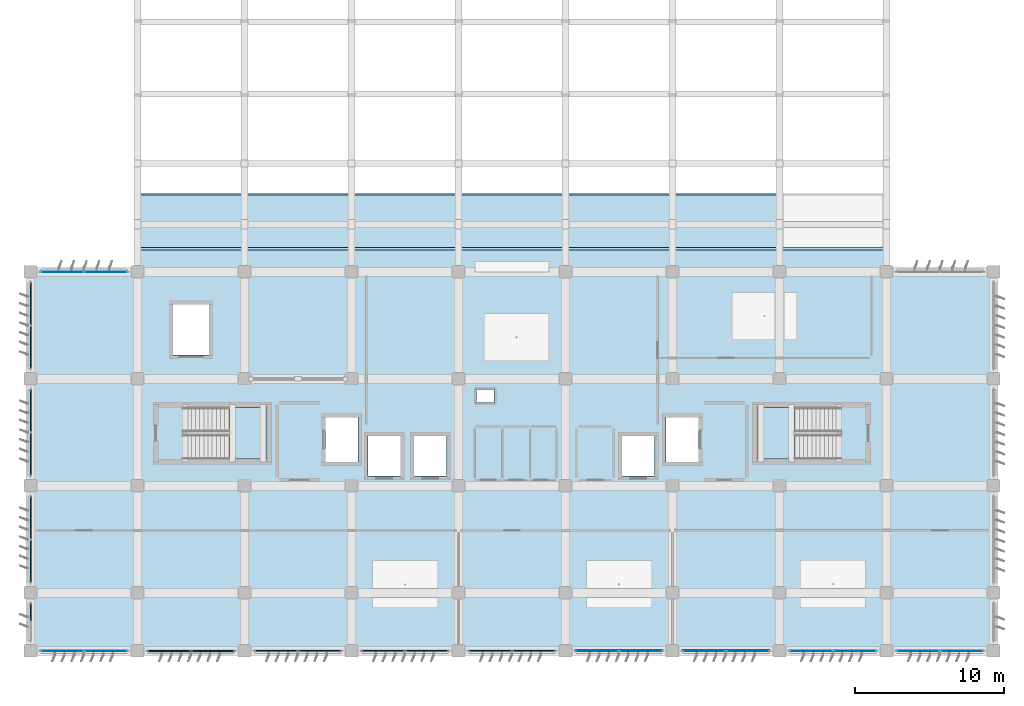
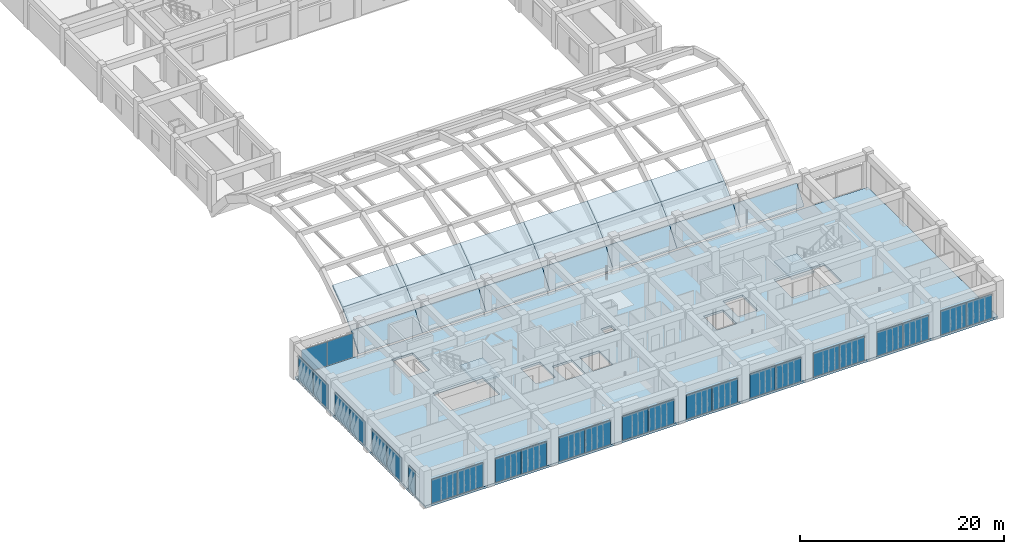
# One storey, part 25 of 48: 27 plates, 22 slabs, 16 elements without a shape of their own.
"""IFC4 building model written with IfcOpenShell, lengths in metres."""

from ifc_helpers import new_model, si_unit, direction, frame, origin, origin_2d, place, context, subcontext, project, spatial, polyline, rectangle, outline, extrude, material, layer, layer_set, type_object, element, aggregate, save


model = new_model("IFC4")

# Units and contexts
model_context = context("Model", 3, precision=1e-05, world=origin(), true_north=direction((0.0, 1.0)))
body_context = subcontext(model_context, "Body", "Model", "MODEL_VIEW")
ifc_project = project(units=[si_unit("LENGTHUNIT", "METRE"), si_unit("AREAUNIT", "SQUARE_METRE"), si_unit("VOLUMEUNIT", "CUBIC_METRE"), si_unit("PLANEANGLEUNIT", "RADIAN"), si_unit("MASSUNIT", "GRAM", prefix="KILO")], contexts=[model_context])

# Site, building, storey
site_placement = place(None, origin())
site = spatial("IfcSite", under=ifc_project, at=site_placement, CompositionType="ELEMENT")
building_placement = place(site_placement, origin())
building = spatial("IfcBuilding", under=site, at=building_placement, Name="Kazehaya Institute of Natural Sciences", CompositionType="ELEMENT")
storey_placement = place(building_placement, frame((0.0, 0.0, 19.800048828125)))
storey = spatial("IfcBuildingStorey", under=building, at=storey_placement, Name="L04", CompositionType="ELEMENT", Elevation=19.800048828125)

# Curtain wall, plates
ifc_material_1 = material(Name="Aluminium alloy A6063S-T5", Category="aluminium")
curtain_wall_type_1 = type_object("IfcCurtainWallType", Name="CW-SYS-04", PredefinedType="NOTDEFINED", material=ifc_material_1)
curtain_wall_1_placement = place(storey_placement, origin())
curtain_wall_1 = element("IfcCurtainWall", 1, at=curtain_wall_1_placement, inside=storey, type_object=curtain_wall_type_1, Name="L04 unitised curtain wall CW-L04-075", PredefinedType="NOTDEFINED")
ifc_material_2 = material(Name="Low-E double-glazed vision glass", Category="glass")
ifc_layer_1 = layer(ifc_material_2, 0.030029296875, Name="Low-E double-glazed vision glass", Category="glass")
ifc_layer_set_1 = layer_set([ifc_layer_1], Name="Low-E double-glazed vision glass")
plate_type_1 = type_object("IfcPlateType", Name="CWP-01", PredefinedType="CURTAIN_PANEL", material=ifc_layer_set_1)
plate_1_placement = place(storey_placement, frame((117.264892578125, 10.10009765625, 0.06005859375), z_axis=(0.0, 0.0, 1.0), x_axis=(-1.0, 0.0, 0.0)))
plate_1 = element("IfcPlate", 2, at=plate_1_placement, type_object=plate_type_1, Name="CW04 panel 1.1", PredefinedType="CURTAIN_PANEL", context=body_context, shape_type="SweptSolid", body=[
    extrude(rectangle(XDim=2.8701171875, YDim=0.030029296875, at=origin_2d()), origin(), (0.0, 0.0, 1.0), 2.8798828125),
])
plate_2_placement = place(storey_placement, frame((114.3349609375, 10.10009765625, 0.06005859375), z_axis=(0.0, 0.0, 1.0), x_axis=(-1.0, 0.0, 0.0)))
plate_2 = element("IfcPlate", 3, at=plate_2_placement, type_object=plate_type_1, Name="CW04 panel 2.1", PredefinedType="CURTAIN_PANEL", context=body_context, shape_type="SweptSolid", body=[
    extrude(rectangle(XDim=2.8701171875, YDim=0.030029296875, at=origin_2d()), origin(), (0.0, 0.0, 1.0), 2.8798828125),
])
aggregate(curtain_wall_1, [plate_1, plate_2])

curtain_wall_2_placement = place(storey_placement, origin())
curtain_wall_2 = element("IfcCurtainWall", 4, at=curtain_wall_2_placement, inside=storey, type_object=curtain_wall_type_1, Name="L04 unitised curtain wall CW-L04-083", PredefinedType="NOTDEFINED")
plate_3_placement = place(storey_placement, frame((59.6650390625, 10.10009765625, 0.06005859375), z_axis=(0.0, 0.0, 1.0), x_axis=(-1.0, 0.0, 0.0)))
plate_3 = element("IfcPlate", 5, at=plate_3_placement, type_object=plate_type_1, Name="CW04 panel 1.1", PredefinedType="CURTAIN_PANEL", context=body_context, shape_type="SweptSolid", body=[
    extrude(rectangle(XDim=2.8701171875, YDim=0.030029296875, at=origin_2d()), origin(), (0.0, 0.0, 1.0), 2.8798828125),
])
plate_4_placement = place(storey_placement, frame((56.735107421875, 10.10009765625, 0.06005859375), z_axis=(0.0, 0.0, 1.0), x_axis=(-1.0, 0.0, 0.0)))
plate_4 = element("IfcPlate", 6, at=plate_4_placement, type_object=plate_type_1, Name="CW04 panel 2.1", PredefinedType="CURTAIN_PANEL", context=body_context, shape_type="SweptSolid", body=[
    extrude(rectangle(XDim=2.8701171875, YDim=0.030029296875, at=origin_2d()), origin(), (0.0, 0.0, 1.0), 2.8798828125),
])
aggregate(curtain_wall_2, [plate_3, plate_4])

curtain_wall_3_placement = place(storey_placement, origin())
curtain_wall_3 = element("IfcCurtainWall", 7, at=curtain_wall_3_placement, inside=storey, type_object=curtain_wall_type_1, Name="L04 unitised curtain wall CW-L04-076", PredefinedType="NOTDEFINED")
ifc_layer_2 = layer(ifc_material_2, 0.0400390625, Name="Low-E double-glazed vision glass", Category="glass")
ifc_layer_set_2 = layer_set([ifc_layer_2], Name="Low-E double-glazed vision glass")
plate_type_2 = type_object("IfcPlateType", Name="CWP-02", PredefinedType="CURTAIN_PANEL", material=ifc_layer_set_2)
plate_5_placement = place(storey_placement, frame((110.06494140625, 10.10009765625, 0.06005859375), z_axis=(0.0, 0.0, 1.0), x_axis=(-1.0, 0.0, 0.0)))
plate_5 = element("IfcPlate", 8, at=plate_5_placement, type_object=plate_type_2, Name="CW04 panel 1.1", PredefinedType="CURTAIN_PANEL", context=body_context, shape_type="SweptSolid", body=[
    extrude(rectangle(XDim=2.8701171875, YDim=0.0400390625, at=origin_2d()), origin(), (0.0, 0.0, 1.0), 2.8798828125),
])
plate_6_placement = place(storey_placement, frame((107.135009765625, 10.10009765625, 0.06005859375), z_axis=(0.0, 0.0, 1.0), x_axis=(-1.0, 0.0, 0.0)))
plate_6 = element("IfcPlate", 9, at=plate_6_placement, type_object=plate_type_2, Name="CW04 panel 2.1", PredefinedType="CURTAIN_PANEL", context=body_context, shape_type="SweptSolid", body=[
    extrude(rectangle(XDim=2.8701171875, YDim=0.0400390625, at=origin_2d()), origin(), (0.0, 0.0, 1.0), 2.8798828125),
])
aggregate(curtain_wall_3, [plate_5, plate_6])

curtain_wall_4_placement = place(storey_placement, origin())
curtain_wall_4 = element("IfcCurtainWall", 10, at=curtain_wall_4_placement, inside=storey, type_object=curtain_wall_type_1, Name="L04 unitised curtain wall CW-L04-077", PredefinedType="NOTDEFINED")
ifc_layer_3 = layer(ifc_material_2, 0.050048828125, Name="Low-E double-glazed vision glass", Category="glass")
ifc_layer_set_3 = layer_set([ifc_layer_3], Name="Low-E double-glazed vision glass")
plate_type_3 = type_object("IfcPlateType", Name="CWP-03", PredefinedType="CURTAIN_PANEL", material=ifc_layer_set_3)
plate_7_placement = place(storey_placement, frame((102.864990234375, 10.10009765625, 0.06005859375), z_axis=(0.0, 0.0, 1.0), x_axis=(-1.0, 0.0, 0.0)))
plate_7 = element("IfcPlate", 11, at=plate_7_placement, type_object=plate_type_3, Name="CW04 panel 1.1", PredefinedType="CURTAIN_PANEL", context=body_context, shape_type="SweptSolid", body=[
    extrude(rectangle(XDim=2.8701171875, YDim=0.050048828125, at=origin_2d()), origin(), (0.0, 0.0, 1.0), 2.8798828125),
])
plate_8_placement = place(storey_placement, frame((99.93505859375, 10.10009765625, 0.06005859375), z_axis=(0.0, 0.0, 1.0), x_axis=(-1.0, 0.0, 0.0)))
plate_8 = element("IfcPlate", 12, at=plate_8_placement, type_object=plate_type_3, Name="CW04 panel 2.1", PredefinedType="CURTAIN_PANEL", context=body_context, shape_type="SweptSolid", body=[
    extrude(rectangle(XDim=2.8701171875, YDim=0.050048828125, at=origin_2d()), origin(), (0.0, 0.0, 1.0), 2.8798828125),
])
aggregate(curtain_wall_4, [plate_7, plate_8])

curtain_wall_5_placement = place(storey_placement, origin())
curtain_wall_5 = element("IfcCurtainWall", 13, at=curtain_wall_5_placement, inside=storey, type_object=curtain_wall_type_1, Name="L04 unitised curtain wall CW-L04-084", PredefinedType="NOTDEFINED")
plate_9_placement = place(storey_placement, frame((56.735107421875, 35.60009765625, 0.06005859375), z_axis=(0.0, 0.0, 1.0), x_axis=(1.0, 0.0, 0.0)))
plate_9 = element("IfcPlate", 14, at=plate_9_placement, type_object=plate_type_3, Name="CW04 panel 1.1", PredefinedType="CURTAIN_PANEL", context=body_context, shape_type="SweptSolid", body=[
    extrude(rectangle(XDim=2.8701171875, YDim=0.050048828125, at=origin_2d()), origin(), (0.0, 0.0, 1.0), 2.8798828125),
])
plate_10_placement = place(storey_placement, frame((59.6650390625, 35.60009765625, 0.06005859375), z_axis=(0.0, 0.0, 1.0), x_axis=(1.0, 0.0, 0.0)))
plate_10 = element("IfcPlate", 15, at=plate_10_placement, type_object=plate_type_3, Name="CW04 panel 2.1", PredefinedType="CURTAIN_PANEL", context=body_context, shape_type="SweptSolid", body=[
    extrude(rectangle(XDim=2.8701171875, YDim=0.050048828125, at=origin_2d()), origin(), (0.0, 0.0, 1.0), 2.8798828125),
])
aggregate(curtain_wall_5, [plate_9, plate_10])

curtain_wall_6_placement = place(storey_placement, origin())
curtain_wall_6 = element("IfcCurtainWall", 16, at=curtain_wall_6_placement, inside=storey, type_object=curtain_wall_type_1, Name="L04 unitised curtain wall CW-L04-078", PredefinedType="NOTDEFINED")
ifc_layer_4 = layer(ifc_material_2, 0.06005859375, Name="Low-E double-glazed vision glass", Category="glass")
ifc_layer_set_4 = layer_set([ifc_layer_4], Name="Low-E double-glazed vision glass")
plate_type_4 = type_object("IfcPlateType", Name="CWP-04", PredefinedType="CURTAIN_PANEL", material=ifc_layer_set_4)
plate_11_placement = place(storey_placement, frame((95.6650390625, 10.10009765625, 0.06005859375), z_axis=(0.0, 0.0, 1.0), x_axis=(-1.0, 0.0, 0.0)))
plate_11 = element("IfcPlate", 17, at=plate_11_placement, type_object=plate_type_4, Name="CW04 panel 1.1", PredefinedType="CURTAIN_PANEL", context=body_context, shape_type="SweptSolid", body=[
    extrude(rectangle(XDim=2.8701171875, YDim=0.06005859375, at=origin_2d()), origin(), (0.0, 0.0, 1.0), 2.8798828125),
])
plate_12_placement = place(storey_placement, frame((92.735107421875, 10.10009765625, 0.06005859375), z_axis=(0.0, 0.0, 1.0), x_axis=(-1.0, 0.0, 0.0)))
plate_12 = element("IfcPlate", 18, at=plate_12_placement, type_object=plate_type_4, Name="CW04 panel 2.1", PredefinedType="CURTAIN_PANEL", context=body_context, shape_type="SweptSolid", body=[
    extrude(rectangle(XDim=2.8701171875, YDim=0.06005859375, at=origin_2d()), origin(), (0.0, 0.0, 1.0), 2.8798828125),
])
aggregate(curtain_wall_6, [plate_11, plate_12])

curtain_wall_7_placement = place(storey_placement, origin())
curtain_wall_7 = element("IfcCurtainWall", 19, at=curtain_wall_7_placement, inside=storey, type_object=curtain_wall_type_1, Name="L04 unitised curtain wall CW-L04-079", PredefinedType="NOTDEFINED")
ifc_material_3 = material(Name="Insulated bronze aluminium spandrel panel", Category="aluminium")
ifc_layer_5 = layer(ifc_material_3, 0.070068359375, Name="Insulated bronze aluminium spandrel panel", Category="aluminium")
ifc_layer_set_5 = layer_set([ifc_layer_5], Name="Insulated bronze aluminium spandrel panel")
plate_type_5 = type_object("IfcPlateType", Name="CWP-05", PredefinedType="CURTAIN_PANEL", material=ifc_layer_set_5)
plate_13_placement = place(storey_placement, frame((88.465087890625, 10.10009765625, 0.06005859375), z_axis=(0.0, 0.0, 1.0), x_axis=(-1.0, 0.0, 0.0)))
plate_13 = element("IfcPlate", 20, at=plate_13_placement, type_object=plate_type_5, Name="CW04 panel 1.1", PredefinedType="CURTAIN_PANEL", context=body_context, shape_type="SweptSolid", body=[
    extrude(rectangle(XDim=2.8701171875, YDim=0.070068359375, at=origin_2d()), origin(), (0.0, 0.0, 1.0), 2.8798828125),
])
plate_14_placement = place(storey_placement, frame((85.534912109375, 10.10009765625, 0.06005859375), z_axis=(0.0, 0.0, 1.0), x_axis=(-1.0, 0.0, 0.0)))
plate_14 = element("IfcPlate", 21, at=plate_14_placement, type_object=plate_type_5, Name="CW04 panel 2.1", PredefinedType="CURTAIN_PANEL", context=body_context, shape_type="SweptSolid", body=[
    extrude(rectangle(XDim=2.8701171875, YDim=0.070068359375, at=origin_2d()), origin(), (0.0, 0.0, 1.0), 2.8798828125),
])
aggregate(curtain_wall_7, [plate_13, plate_14])

# Curtain wall, plate
curtain_wall_type_2 = type_object("IfcCurtainWallType", Name="CW-SYS-08", PredefinedType="NOTDEFINED", material=ifc_material_1)
curtain_wall_8_placement = place(storey_placement, origin())
curtain_wall_8 = element("IfcCurtainWall", 22, at=curtain_wall_8_placement, inside=storey, type_object=curtain_wall_type_2, Name="L04 unitised curtain wall CW-L04-086", PredefinedType="NOTDEFINED")
plate_15_placement = place(storey_placement, frame((54.60009765625, 12.68994140625, 0.06005859375), z_axis=(0.0, 0.0, 1.0), x_axis=(0.0, 1.0, 0.0)))
plate_15 = element("IfcPlate", 23, at=plate_15_placement, type_object=plate_type_5, Name="CW08 panel 2.1", PredefinedType="CURTAIN_PANEL", context=body_context, shape_type="SweptSolid", body=[
    extrude(rectangle(XDim=1.219970703125, YDim=0.070068359375, at=origin_2d()), origin(), (0.0, 0.0, 1.0), 2.8798828125),
])
aggregate(curtain_wall_8, [plate_15])

# Curtain wall, plates
curtain_wall_type_3 = type_object("IfcCurtainWallType", Name="CW-SYS-10", PredefinedType="NOTDEFINED", material=ifc_material_1)
curtain_wall_9_placement = place(storey_placement, origin())
curtain_wall_9 = element("IfcCurtainWall", 24, at=curtain_wall_9_placement, inside=storey, type_object=curtain_wall_type_3, Name="L04 unitised curtain wall CW-L04-088", PredefinedType="NOTDEFINED")
plate_16_placement = place(storey_placement, frame((54.60009765625, 16.135009765625, 0.06005859375), z_axis=(0.0, 0.0, 1.0), x_axis=(0.0, 1.0, 0.0)))
plate_16 = element("IfcPlate", 25, at=plate_16_placement, type_object=plate_type_5, Name="CW10 panel 1.1", PredefinedType="CURTAIN_PANEL", context=body_context, shape_type="SweptSolid", body=[
    extrude(rectangle(XDim=2.8701171875, YDim=0.070068359375, at=origin_2d()), origin(), (0.0, 0.0, 1.0), 2.8798828125),
])
plate_17_placement = place(storey_placement, frame((54.60009765625, 19.06494140625, 0.06005859375), z_axis=(0.0, 0.0, 1.0), x_axis=(0.0, 1.0, 0.0)))
plate_17 = element("IfcPlate", 26, at=plate_17_placement, type_object=plate_type_5, Name="CW10 panel 2.1", PredefinedType="CURTAIN_PANEL", context=body_context, shape_type="SweptSolid", body=[
    extrude(rectangle(XDim=2.8701171875, YDim=0.070068359375, at=origin_2d()), origin(), (0.0, 0.0, 1.0), 2.8798828125),
])
aggregate(curtain_wall_9, [plate_16, plate_17])

curtain_wall_10_placement = place(storey_placement, origin())
curtain_wall_10 = element("IfcCurtainWall", 27, at=curtain_wall_10_placement, inside=storey, type_object=curtain_wall_type_3, Name="L04 unitised curtain wall CW-L04-090", PredefinedType="NOTDEFINED")
plate_18_placement = place(storey_placement, frame((54.60009765625, 23.3349609375, 0.06005859375), z_axis=(0.0, 0.0, 1.0), x_axis=(0.0, 1.0, 0.0)))
plate_18 = element("IfcPlate", 28, at=plate_18_placement, type_object=plate_type_5, Name="CW10 panel 1.1", PredefinedType="CURTAIN_PANEL", context=body_context, shape_type="SweptSolid", body=[
    extrude(rectangle(XDim=2.8701171875, YDim=0.070068359375, at=origin_2d()), origin(), (0.0, 0.0, 1.0), 2.8798828125),
])
plate_19_placement = place(storey_placement, frame((54.60009765625, 26.264892578125, 0.06005859375), z_axis=(0.0, 0.0, 1.0), x_axis=(0.0, 1.0, 0.0)))
plate_19 = element("IfcPlate", 29, at=plate_19_placement, type_object=plate_type_5, Name="CW10 panel 2.1", PredefinedType="CURTAIN_PANEL", context=body_context, shape_type="SweptSolid", body=[
    extrude(rectangle(XDim=2.8701171875, YDim=0.070068359375, at=origin_2d()), origin(), (0.0, 0.0, 1.0), 2.8798828125),
])
aggregate(curtain_wall_10, [plate_18, plate_19])

curtain_wall_11_placement = place(storey_placement, origin())
curtain_wall_11 = element("IfcCurtainWall", 30, at=curtain_wall_11_placement, inside=storey, type_object=curtain_wall_type_3, Name="L04 unitised curtain wall CW-L04-092", PredefinedType="NOTDEFINED")
plate_20_placement = place(storey_placement, frame((54.60009765625, 30.534912109375, 0.06005859375), z_axis=(0.0, 0.0, 1.0), x_axis=(0.0, 1.0, 0.0)))
plate_20 = element("IfcPlate", 31, at=plate_20_placement, type_object=plate_type_5, Name="CW10 panel 1.1", PredefinedType="CURTAIN_PANEL", context=body_context, shape_type="SweptSolid", body=[
    extrude(rectangle(XDim=2.8701171875, YDim=0.070068359375, at=origin_2d()), origin(), (0.0, 0.0, 1.0), 2.8798828125),
])
plate_21_placement = place(storey_placement, frame((54.60009765625, 33.465087890625, 0.06005859375), z_axis=(0.0, 0.0, 1.0), x_axis=(0.0, 1.0, 0.0)))
plate_21 = element("IfcPlate", 32, at=plate_21_placement, type_object=plate_type_5, Name="CW10 panel 2.1", PredefinedType="CURTAIN_PANEL", context=body_context, shape_type="SweptSolid", body=[
    extrude(rectangle(XDim=2.8701171875, YDim=0.070068359375, at=origin_2d()), origin(), (0.0, 0.0, 1.0), 2.8798828125),
])
aggregate(curtain_wall_11, [plate_20, plate_21])

curtain_wall_12_placement = place(storey_placement, origin())
curtain_wall_12 = element("IfcCurtainWall", 33, at=curtain_wall_12_placement, inside=storey, type_object=curtain_wall_type_1, Name="L04 unitised curtain wall CW-L04-080", PredefinedType="NOTDEFINED")
ifc_layer_6 = layer(ifc_material_3, 0.080078125, Name="Insulated bronze aluminium spandrel panel", Category="aluminium")
ifc_layer_set_6 = layer_set([ifc_layer_6], Name="Insulated bronze aluminium spandrel panel")
plate_type_6 = type_object("IfcPlateType", Name="CWP-06", PredefinedType="CURTAIN_PANEL", material=ifc_layer_set_6)
plate_22_placement = place(storey_placement, frame((81.264892578125, 10.10009765625, 0.06005859375), z_axis=(0.0, 0.0, 1.0), x_axis=(-1.0, 0.0, 0.0)))
plate_22 = element("IfcPlate", 34, at=plate_22_placement, type_object=plate_type_6, Name="CW04 panel 1.1", PredefinedType="CURTAIN_PANEL", context=body_context, shape_type="SweptSolid", body=[
    extrude(rectangle(XDim=2.8701171875, YDim=0.080078125, at=origin_2d()), origin(), (0.0, 0.0, 1.0), 2.8798828125),
])
plate_23_placement = place(storey_placement, frame((78.3349609375, 10.10009765625, 0.06005859375), z_axis=(0.0, 0.0, 1.0), x_axis=(-1.0, 0.0, 0.0)))
plate_23 = element("IfcPlate", 35, at=plate_23_placement, type_object=plate_type_6, Name="CW04 panel 2.1", PredefinedType="CURTAIN_PANEL", context=body_context, shape_type="SweptSolid", body=[
    extrude(rectangle(XDim=2.8701171875, YDim=0.080078125, at=origin_2d()), origin(), (0.0, 0.0, 1.0), 2.8798828125),
])
aggregate(curtain_wall_12, [plate_22, plate_23])

curtain_wall_13_placement = place(storey_placement, origin())
curtain_wall_13 = element("IfcCurtainWall", 36, at=curtain_wall_13_placement, inside=storey, type_object=curtain_wall_type_1, Name="L04 unitised curtain wall CW-L04-081", PredefinedType="NOTDEFINED")
ifc_layer_7 = layer(ifc_material_3, 0.090087890625, Name="Insulated bronze aluminium spandrel panel", Category="aluminium")
ifc_layer_set_7 = layer_set([ifc_layer_7], Name="Insulated bronze aluminium spandrel panel")
plate_type_7 = type_object("IfcPlateType", Name="CWP-07", PredefinedType="CURTAIN_PANEL", material=ifc_layer_set_7)
plate_24_placement = place(storey_placement, frame((74.06494140625, 10.10009765625, 0.06005859375), z_axis=(0.0, 0.0, 1.0), x_axis=(-1.0, 0.0, 0.0)))
plate_24 = element("IfcPlate", 37, at=plate_24_placement, type_object=plate_type_7, Name="CW04 panel 1.1", PredefinedType="CURTAIN_PANEL", context=body_context, shape_type="SweptSolid", body=[
    extrude(rectangle(XDim=2.8701171875, YDim=0.090087890625, at=origin_2d()), origin(), (0.0, 0.0, 1.0), 2.8798828125),
])
plate_25_placement = place(storey_placement, frame((71.135009765625, 10.10009765625, 0.06005859375), z_axis=(0.0, 0.0, 1.0), x_axis=(-1.0, 0.0, 0.0)))
plate_25 = element("IfcPlate", 38, at=plate_25_placement, type_object=plate_type_7, Name="CW04 panel 2.1", PredefinedType="CURTAIN_PANEL", context=body_context, shape_type="SweptSolid", body=[
    extrude(rectangle(XDim=2.8701171875, YDim=0.090087890625, at=origin_2d()), origin(), (0.0, 0.0, 1.0), 2.8798828125),
])
aggregate(curtain_wall_13, [plate_24, plate_25])

curtain_wall_14_placement = place(storey_placement, origin())
curtain_wall_14 = element("IfcCurtainWall", 39, at=curtain_wall_14_placement, inside=storey, type_object=curtain_wall_type_1, Name="L04 unitised curtain wall CW-L04-082", PredefinedType="NOTDEFINED")
ifc_layer_8 = layer(ifc_material_3, 0.10009765625, Name="Insulated bronze aluminium spandrel panel", Category="aluminium")
ifc_layer_set_8 = layer_set([ifc_layer_8], Name="Insulated bronze aluminium spandrel panel")
plate_type_8 = type_object("IfcPlateType", Name="CWP-08", PredefinedType="CURTAIN_PANEL", material=ifc_layer_set_8)
plate_26_placement = place(storey_placement, frame((66.864990234375, 10.10009765625, 0.06005859375), z_axis=(0.0, 0.0, 1.0), x_axis=(-1.0, 0.0, 0.0)))
plate_26 = element("IfcPlate", 40, at=plate_26_placement, type_object=plate_type_8, Name="CW04 panel 1.1", PredefinedType="CURTAIN_PANEL", context=body_context, shape_type="SweptSolid", body=[
    extrude(rectangle(XDim=2.8701171875, YDim=0.10009765625, at=origin_2d()), origin(), (0.0, 0.0, 1.0), 2.8798828125),
])
plate_27_placement = place(storey_placement, frame((63.93505859375, 10.10009765625, 0.06005859375), z_axis=(0.0, 0.0, 1.0), x_axis=(-1.0, 0.0, 0.0)))
plate_27 = element("IfcPlate", 41, at=plate_27_placement, type_object=plate_type_8, Name="CW04 panel 2.1", PredefinedType="CURTAIN_PANEL", context=body_context, shape_type="SweptSolid", body=[
    extrude(rectangle(XDim=2.8701171875, YDim=0.10009765625, at=origin_2d()), origin(), (0.0, 0.0, 1.0), 2.8798828125),
])
aggregate(curtain_wall_14, [plate_26, plate_27])

# Slab
ifc_material_4 = material(Name="Concrete Fc36", Category="concrete")
ifc_layer_9 = layer(ifc_material_4, 0.27001953125, Name="Concrete Fc36", Category="concrete")
ifc_layer_set_9 = layer_set([ifc_layer_9], Name="Concrete Fc36")
slab_type_1 = type_object("IfcSlabType", Name="SL-FLR-270", PredefinedType="FLOOR", material=ifc_layer_set_9)
slab_1_placement = place(storey_placement, frame((0.0, 0.0, -0.27001953125)))
element("IfcSlab", 42, at=slab_1_placement, inside=storey, type_object=slab_type_1, Name="L04 structural slab L04-VOL4", PredefinedType="FLOOR", context=body_context, shape_type="SweptSolid", body=[
    extrude(outline(polyline([(54.60009765625, 10.10009765625), (119.39990234375, 10.10009765625), (119.39990234375, 35.60009765625), (54.60009765625, 35.60009765625), (54.60009765625, 10.10009765625)]), holes=[polyline([(84.60009765625, 26.800048828125), (85.800048828125, 26.800048828125), (85.800048828125, 27.699951171875), (84.60009765625, 27.699951171875), (84.60009765625, 26.800048828125)]), polyline([(64.860107421875, 23.0), (70.5, 23.0), (70.5, 26.47998046875), (64.860107421875, 26.47998046875), (64.860107421875, 23.0)]), polyline([(103.5, 23.0), (109.139892578125, 23.0), (109.139892578125, 26.47998046875), (103.5, 26.47998046875), (103.5, 23.0)]), polyline([(74.449951171875, 22.800048828125), (76.64990234375, 22.800048828125), (76.64990234375, 25.800048828125), (74.449951171875, 25.800048828125), (74.449951171875, 22.800048828125)]), polyline([(97.35009765625, 22.800048828125), (99.550048828125, 22.800048828125), (99.550048828125, 25.800048828125), (97.35009765625, 25.800048828125), (97.35009765625, 22.800048828125)]), polyline([(77.300048828125, 21.85009765625), (79.5, 21.85009765625), (79.5, 24.550048828125), (77.300048828125, 24.550048828125), (77.300048828125, 21.85009765625)]), polyline([(80.39990234375, 21.85009765625), (82.60009765625, 21.85009765625), (82.60009765625, 24.550048828125), (80.39990234375, 24.550048828125), (80.39990234375, 21.85009765625)]), polyline([(94.39990234375, 21.85009765625), (96.60009765625, 21.85009765625), (96.60009765625, 24.550048828125), (94.39990234375, 24.550048828125), (94.39990234375, 21.85009765625)]), polyline([(64.199951171875, 30.0), (66.60009765625, 30.0), (66.60009765625, 33.39990234375), (64.199951171875, 33.39990234375), (64.199951171875, 30.0)])]), origin(), (0.0, 0.0, 1.0), 0.27001953125),
])

# Stair, slab
stair_type = type_object("IfcStairType", Name="STR-DOG-4500", PredefinedType="HALF_TURN_STAIR", material=ifc_material_4)
stair_1_placement = place(storey_placement, origin())
stair_1 = element("IfcStair", 43, at=stair_1_placement, inside=storey, type_object=stair_type, Name="L04 Protected Escape Stair ST-1", PredefinedType="HALF_TURN_STAIR")
ifc_layer_10 = layer(ifc_material_4, 0.159912109375, Name="Concrete Fc36", Category="concrete")
ifc_layer_set_10 = layer_set([ifc_layer_10], Name="Concrete Fc36")
slab_type_2 = type_object("IfcSlabType", Name="SL-LND-160", PredefinedType="LANDING", material=ifc_layer_set_10)
slab_2_placement = place(storey_placement, frame((0.0, 0.0, 2.050048828125)))
slab_2 = element("IfcSlab", 44, at=slab_2_placement, type_object=slab_type_2, Name="ST-1 landing 1", PredefinedType="LANDING", context=body_context, shape_type="SweptSolid", body=[
    extrude(outline(polyline([(67.93994140625, 23.0), (70.5, 23.0), (70.5, 26.47998046875), (67.93994140625, 26.47998046875), (67.93994140625, 23.0)])), origin(), (0.0, 0.0, 1.0), 0.199951171875),
])
aggregate(stair_1, [slab_2])

stair_2_placement = place(storey_placement, origin())
stair_2 = element("IfcStair", 45, at=stair_2_placement, inside=storey, type_object=stair_type, Name="L04 Protected Escape Stair ST-2", PredefinedType="HALF_TURN_STAIR")
slab_3_placement = place(storey_placement, frame((0.0, 0.0, 2.050048828125)))
slab_3 = element("IfcSlab", 46, at=slab_3_placement, type_object=slab_type_2, Name="ST-2 landing 1", PredefinedType="LANDING", context=body_context, shape_type="SweptSolid", body=[
    extrude(outline(polyline([(106.06005859375, 26.47998046875), (103.5, 26.47998046875), (103.5, 23.0), (106.06005859375, 23.0), (106.06005859375, 26.47998046875)])), origin(), (0.0, 0.0, 1.0), 0.199951171875),
])
aggregate(stair_2, [slab_3])

# Slabs
ifc_layer_11 = layer(ifc_material_4, 0.199951171875, Name="Concrete Fc36", Category="concrete")
ifc_layer_set_11 = layer_set([ifc_layer_11], Name="Concrete Fc36")
slab_type_3 = type_object("IfcSlabType", Name="SL-SHL-200", PredefinedType="ROOF", material=ifc_layer_set_11)
slab_4_placement = place(storey_placement, frame((61.800048828125, 35.60009765625, 0.199951171875), z_axis=(0.0, -0.796814371737, 0.604224177763), x_axis=(1.0, 0.0, 0.0)))
element("IfcSlab", 47, at=slab_4_placement, inside=storey, type_object=slab_type_3, Name="SH-VOL2 barrel vault shell strip 1", PredefinedType="ROOF", context=body_context, shape_type="SweptSolid", body=[
    extrude(outline(polyline([(0.0, 0.0), (7.199951171875, 0.0), (7.199951171875, 2.4364598818270258), (0.0, 2.4364598818270258), (0.0, 0.0)])), origin(), (0.0, 0.0, -1.0), 0.199951171875),
])
slab_5_placement = place(storey_placement, frame((61.800048828125, 37.072265625, 2.141357421875), z_axis=(0.0, -0.703288467604, 0.710904586661), x_axis=(1.0, 0.0, 0.0)))
element("IfcSlab", 48, at=slab_5_placement, inside=storey, type_object=slab_type_3, Name="SH-VOL2 barrel vault shell strip 2", PredefinedType="ROOF", context=body_context, shape_type="SweptSolid", body=[
    extrude(outline(polyline([(0.0, 0.0), (7.199951171875, 0.0), (7.199951171875, 2.4362391609902008), (0.0, 2.4362391609902008), (0.0, 0.0)])), origin(), (0.0, 0.0, -1.0), 0.199951171875),
])
slab_6_placement = place(storey_placement, frame((61.800048828125, 38.80419921875, 3.854736328125), z_axis=(0.0, -0.595807312983, 0.803127415667), x_axis=(1.0, 0.0, 0.0)))
element("IfcSlab", 49, at=slab_6_placement, inside=storey, type_object=slab_type_3, Name="SH-VOL2 barrel vault shell strip 3", PredefinedType="ROOF", context=body_context, shape_type="SweptSolid", body=[
    extrude(outline(polyline([(0.0, 0.0), (7.199951171875, 0.0), (7.199951171875, 2.436459111222666), (0.0, 2.436459111222666), (0.0, 0.0)])), origin(), (0.0, 0.0, -1.0), 0.199951171875),
])
slab_7_placement = place(storey_placement, frame((69.0, 35.60009765625, 0.199951171875), z_axis=(0.0, -0.796814371737, 0.604224177763), x_axis=(1.0, 0.0, 0.0)))
element("IfcSlab", 50, at=slab_7_placement, inside=storey, type_object=slab_type_3, Name="SH-VOL2 barrel vault shell strip 1", PredefinedType="ROOF", context=body_context, shape_type="SweptSolid", body=[
    extrude(outline(polyline([(0.0, 0.0), (7.199951171875, 0.0), (7.199951171875, 2.4364598818270258), (0.0, 2.4364598818270258), (0.0, 0.0)])), origin(), (0.0, 0.0, -1.0), 0.199951171875),
])
slab_8_placement = place(storey_placement, frame((69.0, 37.072265625, 2.141357421875), z_axis=(0.0, -0.703288467604, 0.710904586661), x_axis=(1.0, 0.0, 0.0)))
element("IfcSlab", 51, at=slab_8_placement, inside=storey, type_object=slab_type_3, Name="SH-VOL2 barrel vault shell strip 2", PredefinedType="ROOF", context=body_context, shape_type="SweptSolid", body=[
    extrude(outline(polyline([(0.0, 0.0), (7.199951171875, 0.0), (7.199951171875, 2.4362391609902008), (0.0, 2.4362391609902008), (0.0, 0.0)])), origin(), (0.0, 0.0, -1.0), 0.199951171875),
])
slab_9_placement = place(storey_placement, frame((69.0, 38.80419921875, 3.854736328125), z_axis=(0.0, -0.595807312983, 0.803127415667), x_axis=(1.0, 0.0, 0.0)))
element("IfcSlab", 52, at=slab_9_placement, inside=storey, type_object=slab_type_3, Name="SH-VOL2 barrel vault shell strip 3", PredefinedType="ROOF", context=body_context, shape_type="SweptSolid", body=[
    extrude(outline(polyline([(0.0, 0.0), (7.199951171875, 0.0), (7.199951171875, 2.436459111222666), (0.0, 2.436459111222666), (0.0, 0.0)])), origin(), (0.0, 0.0, -1.0), 0.199951171875),
])
slab_10_placement = place(storey_placement, frame((76.199951171875, 35.60009765625, 0.199951171875), z_axis=(0.0, -0.796814371737, 0.604224177763), x_axis=(1.0, 0.0, 0.0)))
element("IfcSlab", 53, at=slab_10_placement, inside=storey, type_object=slab_type_3, Name="SH-VOL2 barrel vault shell strip 1", PredefinedType="ROOF", context=body_context, shape_type="SweptSolid", body=[
    extrude(outline(polyline([(0.0, 0.0), (7.199951171875, 0.0), (7.199951171875, 2.4364598818270258), (0.0, 2.4364598818270258), (0.0, 0.0)])), origin(), (0.0, 0.0, -1.0), 0.199951171875),
])
slab_11_placement = place(storey_placement, frame((76.199951171875, 37.072265625, 2.141357421875), z_axis=(0.0, -0.703288467604, 0.710904586661), x_axis=(1.0, 0.0, 0.0)))
element("IfcSlab", 54, at=slab_11_placement, inside=storey, type_object=slab_type_3, Name="SH-VOL2 barrel vault shell strip 2", PredefinedType="ROOF", context=body_context, shape_type="SweptSolid", body=[
    extrude(outline(polyline([(0.0, 0.0), (7.199951171875, 0.0), (7.199951171875, 2.4362391609902008), (0.0, 2.4362391609902008), (0.0, 0.0)])), origin(), (0.0, 0.0, -1.0), 0.199951171875),
])
slab_12_placement = place(storey_placement, frame((76.199951171875, 38.80419921875, 3.854736328125), z_axis=(0.0, -0.595807312983, 0.803127415667), x_axis=(1.0, 0.0, 0.0)))
element("IfcSlab", 55, at=slab_12_placement, inside=storey, type_object=slab_type_3, Name="SH-VOL2 barrel vault shell strip 3", PredefinedType="ROOF", context=body_context, shape_type="SweptSolid", body=[
    extrude(outline(polyline([(0.0, 0.0), (7.199951171875, 0.0), (7.199951171875, 2.436459111222666), (0.0, 2.436459111222666), (0.0, 0.0)])), origin(), (0.0, 0.0, -1.0), 0.199951171875),
])
slab_13_placement = place(storey_placement, frame((83.39990234375, 35.60009765625, 0.199951171875), z_axis=(0.0, -0.796814371737, 0.604224177763), x_axis=(1.0, 0.0, 0.0)))
element("IfcSlab", 56, at=slab_13_placement, inside=storey, type_object=slab_type_3, Name="SH-VOL2 barrel vault shell strip 1", PredefinedType="ROOF", context=body_context, shape_type="SweptSolid", body=[
    extrude(outline(polyline([(0.0, 0.0), (7.2001953125, 0.0), (7.2001953125, 2.4364598818270253), (0.0, 2.4364598818270253), (0.0, 0.0)])), origin(), (0.0, 0.0, -1.0), 0.199951171875),
])
slab_14_placement = place(storey_placement, frame((83.39990234375, 37.072265625, 2.141357421875), z_axis=(0.0, -0.703288467604, 0.710904586661), x_axis=(1.0, 0.0, 0.0)))
element("IfcSlab", 57, at=slab_14_placement, inside=storey, type_object=slab_type_3, Name="SH-VOL2 barrel vault shell strip 2", PredefinedType="ROOF", context=body_context, shape_type="SweptSolid", body=[
    extrude(outline(polyline([(0.0, 0.0), (7.2001953125, 0.0), (7.2001953125, 2.4362391609902008), (0.0, 2.4362391609902008), (0.0, 0.0)])), origin(), (0.0, 0.0, -1.0), 0.199951171875),
])
slab_15_placement = place(storey_placement, frame((83.39990234375, 38.80419921875, 3.854736328125), z_axis=(0.0, -0.595807312983, 0.803127415667), x_axis=(1.0, 0.0, 0.0)))
element("IfcSlab", 58, at=slab_15_placement, inside=storey, type_object=slab_type_3, Name="SH-VOL2 barrel vault shell strip 3", PredefinedType="ROOF", context=body_context, shape_type="SweptSolid", body=[
    extrude(outline(polyline([(0.0, 0.0), (7.2001953125, 0.0), (7.2001953125, 2.436459111222666), (0.0, 2.436459111222666), (0.0, 0.0)])), origin(), (0.0, 0.0, -1.0), 0.199951171875),
])
slab_16_placement = place(storey_placement, frame((90.60009765625, 35.60009765625, 0.199951171875), z_axis=(0.0, -0.796814371737, 0.604224177763), x_axis=(1.0, 0.0, 0.0)))
element("IfcSlab", 59, at=slab_16_placement, inside=storey, type_object=slab_type_3, Name="SH-VOL2 barrel vault shell strip 1", PredefinedType="ROOF", context=body_context, shape_type="SweptSolid", body=[
    extrude(outline(polyline([(0.0, 0.0), (7.199951171875, 0.0), (7.199951171875, 2.4364598818270258), (0.0, 2.4364598818270258), (0.0, 0.0)])), origin(), (0.0, 0.0, -1.0), 0.199951171875),
])
slab_17_placement = place(storey_placement, frame((90.60009765625, 37.072265625, 2.141357421875), z_axis=(0.0, -0.703288467604, 0.710904586661), x_axis=(1.0, 0.0, 0.0)))
element("IfcSlab", 60, at=slab_17_placement, inside=storey, type_object=slab_type_3, Name="SH-VOL2 barrel vault shell strip 2", PredefinedType="ROOF", context=body_context, shape_type="SweptSolid", body=[
    extrude(outline(polyline([(0.0, 0.0), (7.199951171875, 0.0), (7.199951171875, 2.4362391609902008), (0.0, 2.4362391609902008), (0.0, 0.0)])), origin(), (0.0, 0.0, -1.0), 0.199951171875),
])
slab_18_placement = place(storey_placement, frame((90.60009765625, 38.80419921875, 3.854736328125), z_axis=(0.0, -0.595807312983, 0.803127415667), x_axis=(1.0, 0.0, 0.0)))
element("IfcSlab", 61, at=slab_18_placement, inside=storey, type_object=slab_type_3, Name="SH-VOL2 barrel vault shell strip 3", PredefinedType="ROOF", context=body_context, shape_type="SweptSolid", body=[
    extrude(outline(polyline([(0.0, 0.0), (7.199951171875, 0.0), (7.199951171875, 2.436459111222666), (0.0, 2.436459111222666), (0.0, 0.0)])), origin(), (0.0, 0.0, -1.0), 0.199951171875),
])
slab_19_placement = place(storey_placement, frame((97.800048828125, 35.60009765625, 0.199951171875), z_axis=(0.0, -0.796814371737, 0.604224177763), x_axis=(1.0, 0.0, 0.0)))
element("IfcSlab", 62, at=slab_19_placement, inside=storey, type_object=slab_type_3, Name="SH-VOL2 barrel vault shell strip 1", PredefinedType="ROOF", context=body_context, shape_type="SweptSolid", body=[
    extrude(outline(polyline([(0.0, 0.0), (7.199951171875, 0.0), (7.199951171875, 2.4364598818270258), (0.0, 2.4364598818270258), (0.0, 0.0)])), origin(), (0.0, 0.0, -1.0), 0.199951171875),
])
slab_20_placement = place(storey_placement, frame((97.800048828125, 37.072265625, 2.141357421875), z_axis=(0.0, -0.703288467604, 0.710904586661), x_axis=(1.0, 0.0, 0.0)))
element("IfcSlab", 63, at=slab_20_placement, inside=storey, type_object=slab_type_3, Name="SH-VOL2 barrel vault shell strip 2", PredefinedType="ROOF", context=body_context, shape_type="SweptSolid", body=[
    extrude(outline(polyline([(0.0, 0.0), (7.199951171875, 0.0), (7.199951171875, 2.4362391609902008), (0.0, 2.4362391609902008), (0.0, 0.0)])), origin(), (0.0, 0.0, -1.0), 0.199951171875),
])
slab_21_placement = place(storey_placement, frame((97.800048828125, 38.80419921875, 3.854736328125), z_axis=(0.0, -0.595807312983, 0.803127415667), x_axis=(1.0, 0.0, 0.0)))
element("IfcSlab", 64, at=slab_21_placement, inside=storey, type_object=slab_type_3, Name="SH-VOL2 barrel vault shell strip 3", PredefinedType="ROOF", context=body_context, shape_type="SweptSolid", body=[
    extrude(outline(polyline([(0.0, 0.0), (7.199951171875, 0.0), (7.199951171875, 2.436459111222666), (0.0, 2.436459111222666), (0.0, 0.0)])), origin(), (0.0, 0.0, -1.0), 0.199951171875),
])
slab_22_placement = place(storey_placement, frame((105.0, 35.60009765625, 0.199951171875), z_axis=(0.0, -0.796814371737, 0.604224177763), x_axis=(1.0, 0.0, 0.0)))
element("IfcSlab", 65, at=slab_22_placement, inside=storey, type_object=slab_type_3, Name="SH-VOL2 barrel vault shell strip 1", PredefinedType="ROOF", context=body_context, shape_type="SweptSolid", body=[
    extrude(outline(polyline([(0.0, 0.0), (7.199951171875, 0.0), (7.199951171875, 2.4364598818270258), (0.0, 2.4364598818270258), (0.0, 0.0)])), origin(), (0.0, 0.0, -1.0), 0.199951171875),
])

save(model, "model.ifc")
